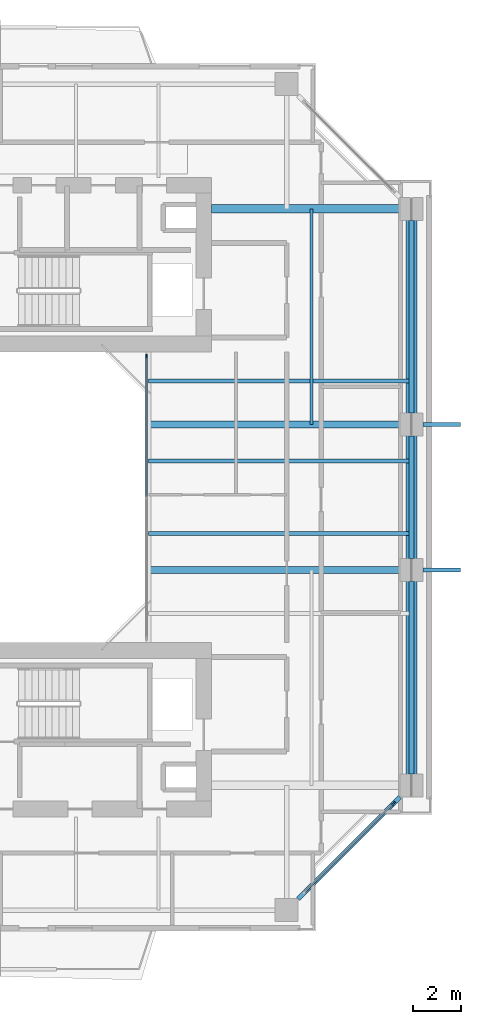
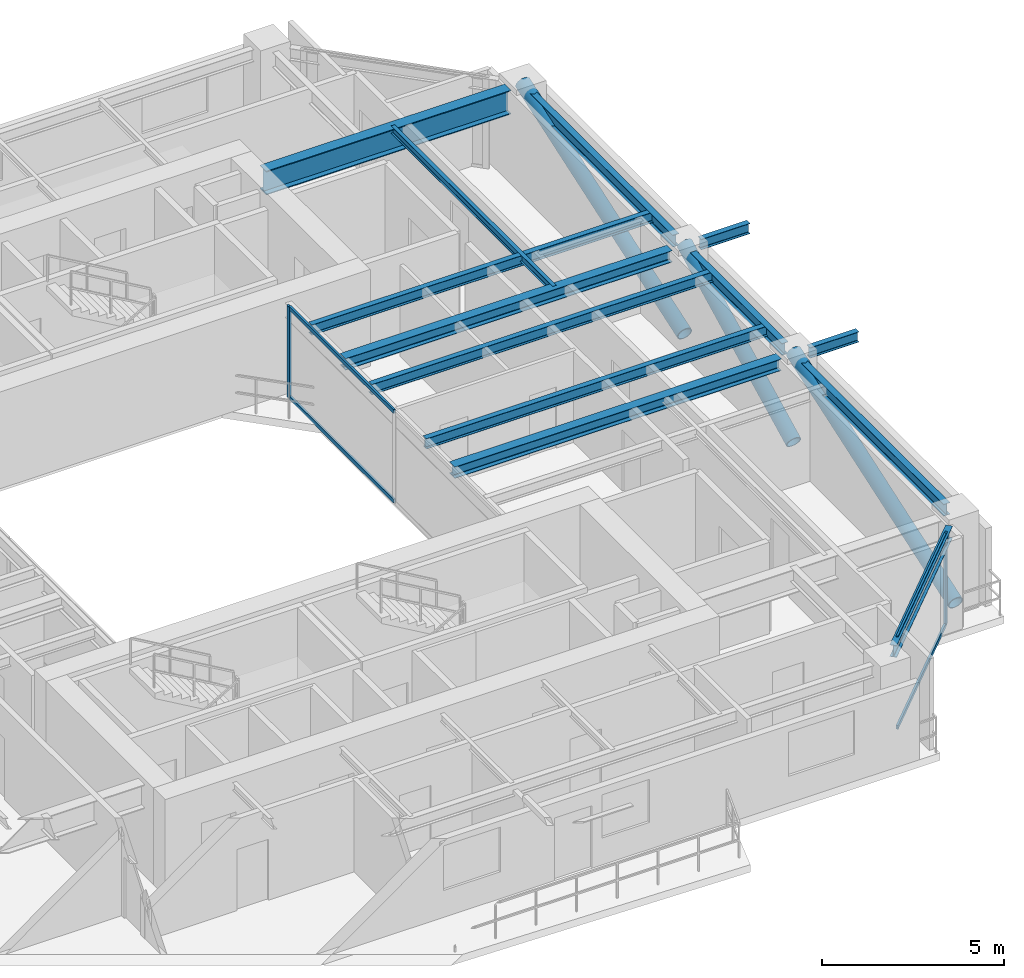
# One storey, part 5 of 14: 13 beams, 9 members, 2 elements without a shape of their own.
"""IFC4 building model written with IfcOpenShell, lengths in metres."""

from ifc_helpers import new_model, si_unit, direction, frame, origin, origin_2d, place, context, subcontext, project, spatial, rectangle, hollow_circle, i_section, extrude, source, transform, mapped, material, layer, layer_set, material_profile, profile_set, type_object, element, aggregate, save


model = new_model("IFC4")

# Units and contexts
model_context = context("Model", 3, precision=1e-05, world=origin(), true_north=direction((0.0, 1.0)))
body_context = subcontext(model_context, "Body", "Model", "MODEL_VIEW")
ifc_project = project(units=[si_unit("LENGTHUNIT", "METRE"), si_unit("AREAUNIT", "SQUARE_METRE"), si_unit("VOLUMEUNIT", "CUBIC_METRE"), si_unit("PLANEANGLEUNIT", "RADIAN"), si_unit("MASSUNIT", "GRAM", prefix="KILO"), si_unit("THERMODYNAMICTEMPERATUREUNIT", "KELVIN"), si_unit("POWERUNIT", "WATT")], contexts=[model_context])

# Site, building, storey
site_placement = place(None, origin())
site = spatial("IfcSite", under=ifc_project, at=site_placement, CompositionType="ELEMENT")
building_placement = place(site_placement, origin())
building = spatial("IfcBuilding", under=site, at=building_placement, Name="Qiaomeng Ring Towers", CompositionType="ELEMENT")
storey_placement = place(building_placement, frame((0.0, 0.0, 176.25)))
storey = spatial("IfcBuildingStorey", under=building, at=storey_placement, Name="L51", CompositionType="ELEMENT", Elevation=176.25)

# Beams
ifc_material_1 = material(Name="Steel Q355B", Category="steel")
ifc_material_profile_1 = material_profile(ifc_material_1, i_section(OverallWidth=0.175048828125, OverallDepth=0.35009765625, WebThickness=0.007080078125, FlangeThickness=0.010986328125, FilletRadius=0.013916015625, at=origin_2d()), Name="HN 350x175x7x11")
ifc_profile_set_1 = profile_set([ifc_material_profile_1], Name="Steel Q355B")
beam_type_1 = type_object("IfcBeamType", Name="STR-BM-HN350", PredefinedType="JOIST", material=ifc_profile_set_1)
shared_shape_1 = source(origin(), body_context, "Body", "SweptSolid", [
    extrude(i_section(OverallWidth=0.175048828125, OverallDepth=0.35009765625, WebThickness=0.007080078125, FlangeThickness=0.010986328125, FilletRadius=0.013916015625, at=origin_2d()), origin(), (0.0, 0.0, 1.0), 10.85009765625),
])
for number, where, z_axis, x_axis, name in (
    (1, (25.199951171875, 21.5, 2.89501953125), (1.0, 0.0, 0.0), (0.0, 1.0, 0.0), "L51 beam STR-JST-L51-T1E-2"),
    (2, (25.199951171875, 24.5, 2.89501953125), (1.0, 0.0, 0.0), (0.0, 1.0, 0.0), "L51 beam STR-JST-L51-T1E-3"),
    (3, (25.199951171875, 27.800048828125, 2.89501953125), (1.0, 0.0, 0.0), (0.0, 1.0, 0.0), "L51 beam STR-JST-L51-T1E-4"),
):
    element("IfcBeam", number, at=place(storey_placement, frame(where, z_axis=z_axis, x_axis=x_axis)), inside=storey, type_object=beam_type_1, Name=name, PredefinedType="JOIST", context=body_context, shape_type="MappedRepresentation", body=[
        mapped(shared_shape_1, transform((0.0, 0.0, 0.0), x_axis=(1.0, 0.0, 0.0), y_axis=(0.0, 1.0, 0.0), z_axis=(0.0, 0.0, 1.0), scale=1.0)),
    ])
ifc_material_profile_2 = material_profile(ifc_material_1, i_section(OverallWidth=0.125, OverallDepth=0.25, WebThickness=0.006103515625, FlangeThickness=0.009033203125, FilletRadius=0.011962890625, at=origin_2d()), Name="HN 250x125x6x9")
ifc_profile_set_2 = profile_set([ifc_material_profile_2], Name="Steel Q355B")
beam_type_2 = type_object("IfcBeamType", Name="STR-BM-HN250", PredefinedType="JOIST", material=ifc_profile_set_2)
shared_shape_2 = source(origin(), body_context, "Body", "SweptSolid", [
    extrude(i_section(OverallWidth=0.125, OverallDepth=0.25, WebThickness=0.006103515625, FlangeThickness=0.009033203125, FilletRadius=0.011962890625, at=origin_2d()), origin(), (0.0, 0.0, 1.0), 8.89990234375),
])
beam_1_placement = place(storey_placement, frame((31.925048828125, 26.0, 2.945068359375), z_axis=(0.0, 1.0, 0.0), x_axis=(-1.0, 0.0, 0.0)))
element("IfcBeam", 4, at=beam_1_placement, inside=storey, type_object=beam_type_2, Name="L51 beam STR-JST-L51-T1C-EN", PredefinedType="JOIST", context=body_context, shape_type="MappedRepresentation", body=[
    mapped(shared_shape_2, transform((0.0, 0.0, 0.0), x_axis=(1.0, 0.0, 0.0), y_axis=(0.0, 1.0, 0.0), z_axis=(0.0, 0.0, 1.0), scale=1.0)),
])
ifc_material_profile_3 = material_profile(ifc_material_1, i_section(OverallWidth=0.199951171875, OverallDepth=0.39990234375, WebThickness=0.008056640625, FlangeThickness=0.012939453125, FilletRadius=0.01611328125, at=origin_2d()), Name="HN 400x200x8x13")
ifc_profile_set_3 = profile_set([ifc_material_profile_3], Name="Steel Q355B")
beam_type_3 = type_object("IfcBeamType", Name="STR-BM-HN400", PredefinedType="SPANDREL", material=ifc_profile_set_3)
shared_shape_3 = source(origin(), body_context, "Body", "SweptSolid", [
    extrude(i_section(OverallWidth=0.199951171875, OverallDepth=0.39990234375, WebThickness=0.008056640625, FlangeThickness=0.012939453125, FilletRadius=0.01611328125, at=origin_2d()), origin(), (0.0, 0.0, 1.0), 5.941650390625),
])
beam_2_placement = place(storey_placement, frame((31.374267578125, 6.42431640625, 2.8701171875), z_axis=(0.707106781187, 0.707106781187, 0.0), x_axis=(-0.707106781187, 0.707106781187, 0.0)))
element("IfcBeam", 5, at=beam_2_placement, inside=storey, type_object=beam_type_3, Name="L51 beam STR-SP-L51-T1-S2-E1", PredefinedType="SPANDREL", context=body_context, shape_type="MappedRepresentation", body=[
    mapped(shared_shape_3, transform((0.0, 0.0, 0.0), x_axis=(1.0, 0.0, 0.0), y_axis=(0.0, 1.0, 0.0), z_axis=(0.0, 0.0, 1.0), scale=1.0)),
])
shared_shape_4 = source(origin(), body_context, "Body", "SweptSolid", [
    extrude(i_section(OverallWidth=0.199951171875, OverallDepth=0.39990234375, WebThickness=0.008056640625, FlangeThickness=0.012939453125, FilletRadius=0.01611328125, at=origin_2d()), origin(), (0.0, 0.0, 1.0), 7.951904296875),
])
for number, where, z_axis, x_axis, name in (
    (6, (36.050048828125, 11.573974609375, 2.8701171875), (0.0, 1.0, 0.0), (-1.0, 0.0, 0.0), "L51 beam STR-SP-L51-T1-E1-E2"),
    (7, (36.050048828125, 26.47412109375, 2.8701171875), (0.0, 1.0, 0.0), (-1.0, 0.0, 0.0), "L51 beam STR-SP-L51-T1-E3-E4"),
):
    element("IfcBeam", number, at=place(storey_placement, frame(where, z_axis=z_axis, x_axis=x_axis)), inside=storey, type_object=beam_type_3, Name=name, PredefinedType="SPANDREL", context=body_context, shape_type="MappedRepresentation", body=[
        mapped(shared_shape_4, transform((0.0, 0.0, 0.0), x_axis=(1.0, 0.0, 0.0), y_axis=(0.0, 1.0, 0.0), z_axis=(0.0, 0.0, 1.0), scale=1.0)),
    ])
shared_shape_5 = source(origin(), body_context, "Body", "SweptSolid", [
    extrude(i_section(OverallWidth=0.199951171875, OverallDepth=0.39990234375, WebThickness=0.008056640625, FlangeThickness=0.012939453125, FilletRadius=0.01611328125, at=origin_2d()), origin(), (0.0, 0.0, 1.0), 5.0517578125),
])
beam_3_placement = place(storey_placement, frame((36.050048828125, 20.47412109375, 2.8701171875), z_axis=(0.0, 1.0, 0.0), x_axis=(-1.0, 0.0, 0.0)))
element("IfcBeam", 8, at=beam_3_placement, inside=storey, type_object=beam_type_3, Name="L51 beam STR-SP-L51-T1-E2-E3", PredefinedType="SPANDREL", context=body_context, shape_type="MappedRepresentation", body=[
    mapped(shared_shape_5, transform((0.0, 0.0, 0.0), x_axis=(1.0, 0.0, 0.0), y_axis=(0.0, 1.0, 0.0), z_axis=(0.0, 0.0, 1.0), scale=1.0)),
])
ifc_material_2 = material(Name="Steel Q390GJC", Category="steel")
ifc_material_profile_4 = material_profile(ifc_material_2, i_section(OverallWidth=0.35009765625, OverallDepth=0.800048828125, WebThickness=0.01611328125, FlangeThickness=0.028076171875, at=origin_2d()), Name="WH 800x350x16x28")
ifc_profile_set_4 = profile_set([ifc_material_profile_4], Name="Steel Q390GJC")
beam_type_4 = type_object("IfcBeamType", Name="STR-BM-WH800", PredefinedType="BEAM", material=ifc_profile_set_4)
shared_shape_6 = source(origin(), body_context, "Body", "SweptSolid", [
    extrude(i_section(OverallWidth=0.35009765625, OverallDepth=0.800048828125, WebThickness=0.01611328125, FlangeThickness=0.028076171875, at=origin_2d()), origin(), (0.0, 0.0, 1.0), 7.77587890625),
])
beam_4_placement = place(storey_placement, frame((27.800048828125, 34.89990234375, 2.669921875), z_axis=(1.0, 0.0, 0.0), x_axis=(0.0, 1.0, 0.0)))
element("IfcBeam", 9, at=beam_4_placement, inside=storey, type_object=beam_type_4, Name="L51 beam STR-BM-L51-T1-RAD-E4", PredefinedType="BEAM", context=body_context, shape_type="MappedRepresentation", body=[
    mapped(shared_shape_6, transform((0.0, 0.0, 0.0), x_axis=(1.0, 0.0, 0.0), y_axis=(0.0, 1.0, 0.0), z_axis=(0.0, 0.0, 1.0), scale=1.0)),
])
shared_shape_7 = source(origin(), body_context, "Body", "SweptSolid", [
    extrude(i_section(OverallWidth=0.175048828125, OverallDepth=0.35009765625, WebThickness=0.007080078125, FlangeThickness=0.010986328125, FilletRadius=0.013916015625, at=origin_2d()), origin(), (0.0, 0.0, 1.0), 1.55615234375),
])
for number, where, z_axis, x_axis, name in (
    (10, (36.52392578125, 20.0, 2.89501953125), (1.0, 0.0, 0.0), (0.0, 1.0, 0.0), "L51 beam STR-BALBM-L51-E2"),
    (11, (36.52392578125, 26.0, 2.89501953125), (1.0, 0.0, 0.0), (0.0, 1.0, 0.0), "L51 beam STR-BALBM-L51-E3"),
):
    element("IfcBeam", number, at=place(storey_placement, frame(where, z_axis=z_axis, x_axis=x_axis)), inside=storey, type_object=beam_type_1, Name=name, PredefinedType="JOIST", context=body_context, shape_type="MappedRepresentation", body=[
        mapped(shared_shape_7, transform((0.0, 0.0, 0.0), x_axis=(1.0, 0.0, 0.0), y_axis=(0.0, 1.0, 0.0), z_axis=(0.0, 0.0, 1.0), scale=1.0)),
    ])
ifc_material_profile_5 = material_profile(ifc_material_1, i_section(OverallWidth=0.300048828125, OverallDepth=0.389892578125, WebThickness=0.010009765625, FlangeThickness=0.01611328125, FilletRadius=0.02197265625, at=origin_2d()), Name="HM 390x300x10x16")
ifc_profile_set_5 = profile_set([ifc_material_profile_5], Name="Steel Q355B")
beam_type_5 = type_object("IfcBeamType", Name="STR-BM-HM390", PredefinedType="BEAM", material=ifc_profile_set_5)
shared_shape_8 = source(origin(), body_context, "Body", "SweptSolid", [
    extrude(i_section(OverallWidth=0.300048828125, OverallDepth=0.389892578125, WebThickness=0.010009765625, FlangeThickness=0.01611328125, FilletRadius=0.02197265625, at=origin_2d()), origin(), (0.0, 0.0, 1.0), 10.3759765625),
])
for number, where, z_axis, x_axis, name in (
    (12, (25.199951171875, 20.0, 2.875), (1.0, 0.0, 0.0), (0.0, 1.0, 0.0), "L51 beam STR-BM-L51-T1-RAD-E2"),
    (13, (25.199951171875, 26.0, 2.875), (1.0, 0.0, 0.0), (0.0, 1.0, 0.0), "L51 beam STR-BM-L51-T1-RAD-E3"),
):
    element("IfcBeam", number, at=place(storey_placement, frame(where, z_axis=z_axis, x_axis=x_axis)), inside=storey, type_object=beam_type_5, Name=name, PredefinedType="BEAM", context=body_context, shape_type="MappedRepresentation", body=[
        mapped(shared_shape_8, transform((0.0, 0.0, 0.0), x_axis=(1.0, 0.0, 0.0), y_axis=(0.0, 1.0, 0.0), z_axis=(0.0, 0.0, 1.0), scale=1.0)),
    ])

# Members
ifc_material_profile_6 = material_profile(ifc_material_2, hollow_circle(Radius=0.228515625, WallThickness=0.028076171875, at=origin_2d()), Name="CHS 457x28")
ifc_profile_set_6 = profile_set([ifc_material_profile_6], Name="Steel Q390GJC")
member_type_1 = type_object("IfcMemberType", Name="STR-MB-BR-457", PredefinedType="BRACE", material=ifc_profile_set_6)
shared_shape_9 = source(origin(), body_context, "Body", "SweptSolid", [
    extrude(hollow_circle(Radius=0.228515625, WallThickness=0.028076171875, at=origin_2d()), origin(), (0.0, 0.0, 1.0), 9.401611328125),
])
for number, where, z_axis, x_axis, name in (
    (14, (36.050048828125, 11.10009765625, 0.02001953125), (0.0, 0.94664097224, 0.322290039679), (-1.0, 0.0, 0.0), "L51 Portal Bridge Truss Diagonal E-0A"),
    (15, (36.050048828125, 26.0, 0.02001953125), (0.0, 0.94664097224, 0.322290039679), (-1.0, 0.0, 0.0), "L51 Portal Bridge Truss Diagonal E-2A"),
):
    element("IfcMember", number, at=place(storey_placement, frame(where, z_axis=z_axis, x_axis=x_axis)), inside=storey, type_object=member_type_1, Name=name, PredefinedType="BRACE", context=body_context, shape_type="MappedRepresentation", body=[
        mapped(shared_shape_9, transform((0.0, 0.0, 0.0), x_axis=(1.0, 0.0, 0.0), y_axis=(0.0, 1.0, 0.0), z_axis=(0.0, 0.0, 1.0), scale=1.0)),
    ])
shared_shape_10 = source(origin(), body_context, "Body", "SweptSolid", [
    extrude(hollow_circle(Radius=0.228515625, WallThickness=0.028076171875, at=origin_2d()), origin(), (0.0, 0.0, 1.0), 6.7216796875),
])
member_1_placement = place(storey_placement, frame((36.050048828125, 20.0, 0.02001953125), z_axis=(0.0, 0.8926330408, 0.450784044164), x_axis=(-1.0, 0.0, 0.0)))
element("IfcMember", 16, at=member_1_placement, inside=storey, type_object=member_type_1, Name="L51 Portal Bridge Truss Diagonal E-1A", PredefinedType="BRACE", context=body_context, shape_type="MappedRepresentation", body=[
    mapped(shared_shape_10, transform((0.0, 0.0, 0.0), x_axis=(1.0, 0.0, 0.0), y_axis=(0.0, 1.0, 0.0), z_axis=(0.0, 0.0, 1.0), scale=1.0)),
])

# Curtain wall, members
ifc_material_3 = material(Name="Fluorocarbon dark-grey aluminium", Category="aluminium")
ifc_layer_1 = layer(ifc_material_3, 0.139892578125, Name="Fluorocarbon dark-grey aluminium")
ifc_layer_set_1 = layer_set([ifc_layer_1], Name="Fluorocarbon dark-grey aluminium")
curtain_wall_type_1 = type_object("IfcCurtainWallType", Name="ARC-CW-4", PredefinedType="NOTDEFINED", material=ifc_layer_set_1)
curtain_wall_1_placement = place(storey_placement, origin())
curtain_wall_1 = element("IfcCurtainWall", 17, at=curtain_wall_1_placement, inside=storey, type_object=curtain_wall_type_1, Name="L51 Curtain Wall CW4", PredefinedType="NOTDEFINED")
ifc_material_profile_7 = material_profile(ifc_material_3, rectangle(XDim=0.06494140625, YDim=0.159912109375, at=origin_2d()), Name="ALU MULL 65x160")
ifc_profile_set_7 = profile_set([ifc_material_profile_7], Name="Fluorocarbon dark-grey aluminium")
member_type_2 = type_object("IfcMemberType", Name="ARC-CWM-140", PredefinedType="MULLION", material=ifc_profile_set_7)
shared_shape_11 = source(origin(), body_context, "Body", "SweptSolid", [
    extrude(rectangle(XDim=0.06494140625, YDim=0.159912109375, at=origin_2d()), origin(), (0.0, 0.0, 1.0), 3.070068359375),
])
member_2_placement = place(storey_placement, frame((25.1201171875, 28.8173828125, 0.0), z_axis=(0.0, 0.0, 1.0), x_axis=(-1.0, 0.0, 0.0)))
member_2 = element("IfcMember", 18, at=member_2_placement, type_object=member_type_2, Name="CW4 mullion 3", PredefinedType="MULLION", context=body_context, shape_type="MappedRepresentation", body=[
    mapped(shared_shape_11, transform((0.0, 0.0, 0.0), x_axis=(1.0, 0.0, 0.0), y_axis=(0.0, 1.0, 0.0), z_axis=(0.0, 0.0, 1.0), scale=1.0)),
])
ifc_material_profile_8 = material_profile(ifc_material_3, rectangle(XDim=0.06494140625, YDim=0.1298828125, at=origin_2d()), Name="ALU TRAN 65x130")
ifc_profile_set_8 = profile_set([ifc_material_profile_8], Name="Fluorocarbon dark-grey aluminium")
member_type_3 = type_object("IfcMemberType", Name="ARC-CWT-120", PredefinedType="USERDEFINED", material=ifc_profile_set_8)
shared_shape_12 = source(origin(), body_context, "Body", "SweptSolid", [
    extrude(rectangle(XDim=0.06494140625, YDim=0.1298828125, at=origin_2d()), origin(), (0.0, 0.0, 1.0), 5.75244140625),
])
member_3_placement = place(storey_placement, frame((25.1201171875, 23.032470703125, 0.032470703125), z_axis=(0.0, 1.0, 0.0), x_axis=(-1.0, 0.0, 0.0)))
member_3 = element("IfcMember", 19, at=member_3_placement, type_object=member_type_3, Name="CW4 transom 2.1", ObjectType="TRANSOM", PredefinedType="USERDEFINED", context=body_context, shape_type="MappedRepresentation", body=[
    mapped(shared_shape_12, transform((0.0, 0.0, 0.0), x_axis=(1.0, 0.0, 0.0), y_axis=(0.0, 1.0, 0.0), z_axis=(0.0, 0.0, 1.0), scale=1.0)),
])
member_4_placement = place(storey_placement, frame((25.1201171875, 23.032470703125, 3.03759765625), z_axis=(0.0, 1.0, 0.0), x_axis=(-1.0, 0.0, 0.0)))
member_4 = element("IfcMember", 20, at=member_4_placement, type_object=member_type_3, Name="CW4 transom 2.2", ObjectType="TRANSOM", PredefinedType="USERDEFINED", context=body_context, shape_type="MappedRepresentation", body=[
    mapped(shared_shape_12, transform((0.0, 0.0, 0.0), x_axis=(1.0, 0.0, 0.0), y_axis=(0.0, 1.0, 0.0), z_axis=(0.0, 0.0, 1.0), scale=1.0)),
])
aggregate(curtain_wall_1, [member_2, member_3, member_4])

ifc_layer_2 = layer(ifc_material_3, 0.14990234375, Name="Fluorocarbon dark-grey aluminium")
ifc_layer_set_2 = layer_set([ifc_layer_2], Name="Fluorocarbon dark-grey aluminium")
curtain_wall_type_2 = type_object("IfcCurtainWallType", Name="ARC-CW-3", PredefinedType="NOTDEFINED", material=ifc_layer_set_2)
curtain_wall_2_placement = place(storey_placement, origin())
curtain_wall_2 = element("IfcCurtainWall", 21, at=curtain_wall_2_placement, inside=storey, type_object=curtain_wall_type_2, Name="L51 Curtain Wall CW3", PredefinedType="NOTDEFINED")
ifc_material_profile_9 = material_profile(ifc_material_3, rectangle(XDim=0.070068359375, YDim=0.179931640625, at=origin_2d()), Name="ALU MULL 70x180")
ifc_profile_set_9 = profile_set([ifc_material_profile_9], Name="Fluorocarbon dark-grey aluminium")
member_type_4 = type_object("IfcMemberType", Name="ARC-CWM-160", PredefinedType="MULLION", material=ifc_profile_set_9)
shared_shape_13 = source(origin(), body_context, "Body", "SweptSolid", [
    extrude(rectangle(XDim=0.070068359375, YDim=0.179931640625, at=origin_2d()), origin(), (0.0, 0.0, 1.0), 3.070068359375),
])
member_5_placement = place(storey_placement, frame((35.310302734375, 10.3603515625, 0.0), z_axis=(0.0, 0.0, 1.0), x_axis=(-0.707106781187, 0.707106781187, 0.0)))
member_5 = element("IfcMember", 22, at=member_5_placement, type_object=member_type_4, Name="CW3 mullion 2", PredefinedType="MULLION", context=body_context, shape_type="MappedRepresentation", body=[
    mapped(shared_shape_13, transform((0.0, 0.0, 0.0), x_axis=(1.0, 0.0, 0.0), y_axis=(0.0, 1.0, 0.0), z_axis=(0.0, 0.0, 1.0), scale=1.0)),
])
shared_shape_14 = source(origin(), body_context, "Body", "SweptSolid", [
    extrude(rectangle(XDim=0.06494140625, YDim=0.1298828125, at=origin_2d()), origin(), (0.0, 0.0, 1.0), 5.12060546875),
])
member_6_placement = place(storey_placement, frame((31.66455078125, 6.714599609375, 0.032470703125), z_axis=(0.707106781187, 0.707106781187, 0.0), x_axis=(-0.707106781187, 0.707106781187, 0.0)))
member_6 = element("IfcMember", 23, at=member_6_placement, type_object=member_type_3, Name="CW3 transom 1.1", ObjectType="TRANSOM", PredefinedType="USERDEFINED", context=body_context, shape_type="MappedRepresentation", body=[
    mapped(shared_shape_14, transform((0.0, 0.0, 0.0), x_axis=(1.0, 0.0, 0.0), y_axis=(0.0, 1.0, 0.0), z_axis=(0.0, 0.0, 1.0), scale=1.0)),
])
member_7_placement = place(storey_placement, frame((31.66455078125, 6.714599609375, 3.03759765625), z_axis=(0.707106781187, 0.707106781187, 0.0), x_axis=(-0.707106781187, 0.707106781187, 0.0)))
member_7 = element("IfcMember", 24, at=member_7_placement, type_object=member_type_3, Name="CW3 transom 1.2", ObjectType="TRANSOM", PredefinedType="USERDEFINED", context=body_context, shape_type="MappedRepresentation", body=[
    mapped(shared_shape_14, transform((0.0, 0.0, 0.0), x_axis=(1.0, 0.0, 0.0), y_axis=(0.0, 1.0, 0.0), z_axis=(0.0, 0.0, 1.0), scale=1.0)),
])
aggregate(curtain_wall_2, [member_5, member_6, member_7])

save(model, "model.ifc")
